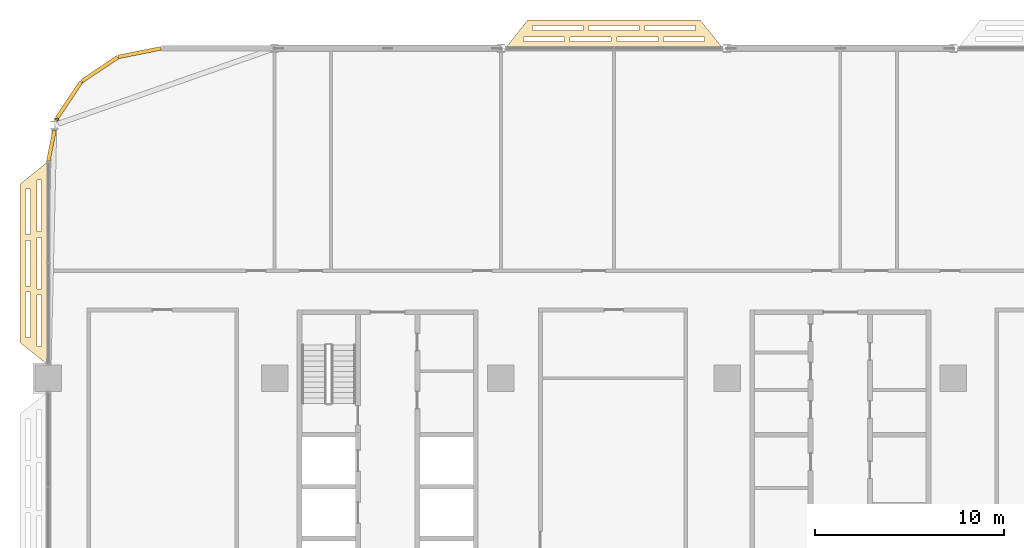
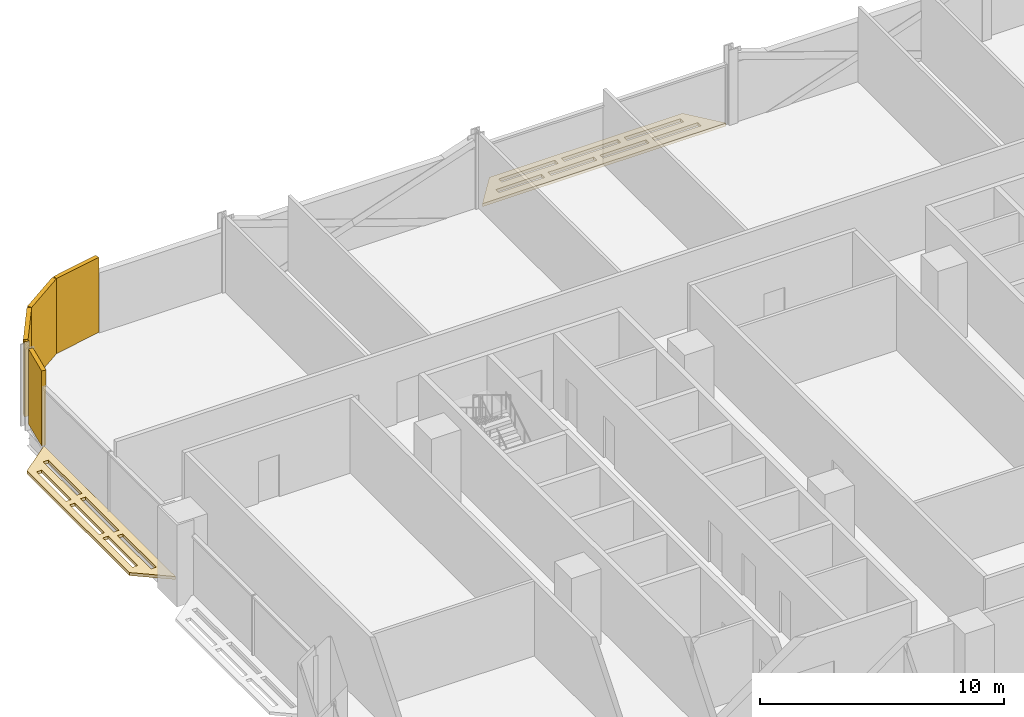
# One storey, part 27 of 29: 7 coverings.
"""IFC4 building model written with IfcOpenShell, lengths in metres."""

from ifc_helpers import new_model, si_unit, direction, frame, origin, origin_2d, place, context, subcontext, project, spatial, polyline, rectangle, outline, extrude, material, layer, layer_set, type_object, element, save


model = new_model("IFC4")

# Units and contexts
model_context = context("Model", 3, precision=1e-05, world=origin(), true_north=direction((0.0, 1.0)))
body_context = subcontext(model_context, "Body", "Model", "MODEL_VIEW")
ifc_project = project(units=[si_unit("LENGTHUNIT", "METRE"), si_unit("AREAUNIT", "SQUARE_METRE"), si_unit("VOLUMEUNIT", "CUBIC_METRE"), si_unit("PLANEANGLEUNIT", "RADIAN"), si_unit("MASSUNIT", "GRAM", prefix="KILO")], contexts=[model_context])

# Site, building, storey
site_placement = place(None, origin())
site = spatial("IfcSite", under=ifc_project, at=site_placement, CompositionType="ELEMENT")
building_placement = place(site_placement, origin())
building = spatial("IfcBuilding", under=site, at=building_placement, Name="Mahtab Terrace Research Tower", CompositionType="ELEMENT")
storey_placement = place(building_placement, frame((0.0, 0.0, 93.0)))
storey = spatial("IfcBuildingStorey", under=building, at=storey_placement, Name="L21", CompositionType="ELEMENT", Elevation=93.0)

# Coverings
ifc_material_1 = material(Name="Black aluminium cladding panel", Category="aluminium")
ifc_layer_1 = layer(ifc_material_1, 0.199951171875)
ifc_layer_set_1 = layer_set([ifc_layer_1], Name="Black metal corner cladding 200")
covering_type_1 = type_object("IfcCoveringType", Name="Black metal corner cladding 200", PredefinedType="CLADDING", material=ifc_layer_set_1)
for number, where, z_axis, x_axis, name in (
    (1, (-37.14794921875, 28.771484375, 0.0), (0.0, 0.0, 1.0), (-0.980760981187, -0.195212442692, 0.0), "Corner cladding L21 11"),
    (2, (-39.26953125, 27.89306640625, 0.0), (0.0, 0.0, 1.0), (-0.831655794326, -0.555291490808, 0.0), "Corner cladding L21 12"),
    (3, (-40.89306640625, 26.26953125, 0.0), (0.0, 0.0, 1.0), (-0.555291490808, -0.831655794326, 0.0), "Corner cladding L21 13"),
):
    element("IfcCovering", number, at=place(storey_placement, frame(where, z_axis=z_axis, x_axis=x_axis)), inside=storey, type_object=covering_type_1, Name=name, PredefinedType="CLADDING", context=body_context, shape_type="SweptSolid", body=[
        extrude(rectangle(XDim=2.30126953125, YDim=0.199951171875, at=origin_2d()), origin(), (0.0, 0.0, 1.0), 3.760009765625),
    ])
covering_1_placement = place(storey_placement, frame((-41.5556640625, 25.231689453125, 0.0), z_axis=(0.0, 0.0, 1.0), x_axis=(-0.195212442692, -0.980760981187, 0.0)))
element("IfcCovering", 4, at=covering_1_placement, inside=storey, type_object=covering_type_1, Name="Corner cladding L21 14", PredefinedType="CLADDING", context=body_context, shape_type="SweptSolid", body=[
    extrude(rectangle(XDim=0.11083984375, YDim=0.199951171875, at=origin_2d()), origin(), (0.0, 0.0, 1.0), 3.760009765625),
])
covering_2_placement = place(storey_placement, frame((-41.833740234375, 23.83544921875, 0.0), z_axis=(0.0, 0.0, 1.0), x_axis=(-0.195212442692, -0.980760981187, 0.0)))
element("IfcCovering", 5, at=covering_2_placement, inside=storey, type_object=covering_type_1, Name="Corner cladding L21 15", PredefinedType="CLADDING", context=body_context, shape_type="SweptSolid", body=[
    extrude(rectangle(XDim=1.6640625, YDim=0.199951171875, at=origin_2d()), origin(), (0.0, 0.0, 1.0), 3.760009765625),
])
ifc_material_2 = material(Name="Black anodised aluminium", Category="aluminium")
ifc_layer_2 = layer(ifc_material_2, 0.14990234375)
ifc_layer_set_2 = layer_set([ifc_layer_2], Name="Horizontal sunshade band")
covering_type_2 = type_object("IfcCoveringType", Name="Horizontal sunshade band", PredefinedType="CLADDING", material=ifc_layer_set_2)
covering_3_placement = place(storey_placement, frame((0.0, 0.0, -0.14990234375)))
element("IfcCovering", 6, at=covering_3_placement, inside=storey, type_object=covering_type_2, Name="Sunshade band L21 8", PredefinedType="CLADDING", context=body_context, shape_type="SweptSolid", body=[
    extrude(outline(polyline([(-6.22802734375, 29.0), (-17.77197265625, 29.0), (-16.572021484375, 30.5), (-7.427978515625, 30.5), (-6.22802734375, 29.0)]), holes=[polyline([(-7.2080078125, 29.35009765625), (-9.37890625, 29.35009765625), (-9.37890625, 29.60009765625), (-7.2080078125, 29.60009765625), (-7.2080078125, 29.35009765625)]), polyline([(-9.678955078125, 29.35009765625), (-11.85009765625, 29.35009765625), (-11.85009765625, 29.60009765625), (-9.678955078125, 29.60009765625), (-9.678955078125, 29.35009765625)]), polyline([(-12.14990234375, 29.35009765625), (-14.321044921875, 29.35009765625), (-14.321044921875, 29.60009765625), (-12.14990234375, 29.60009765625), (-12.14990234375, 29.35009765625)]), polyline([(-14.62109375, 29.35009765625), (-16.7919921875, 29.35009765625), (-16.7919921875, 29.60009765625), (-14.62109375, 29.60009765625), (-14.62109375, 29.35009765625)]), polyline([(-7.68798828125, 29.949951171875), (-10.363037109375, 29.949951171875), (-10.363037109375, 30.199951171875), (-7.68798828125, 30.199951171875), (-7.68798828125, 29.949951171875)]), polyline([(-10.6630859375, 29.949951171875), (-13.3369140625, 29.949951171875), (-13.3369140625, 30.199951171875), (-10.6630859375, 30.199951171875), (-10.6630859375, 29.949951171875)]), polyline([(-13.636962890625, 29.949951171875), (-16.31201171875, 29.949951171875), (-16.31201171875, 30.199951171875), (-13.636962890625, 30.199951171875), (-13.636962890625, 29.949951171875)])]), origin(), (0.0, 0.0, 1.0), 0.14990234375),
])
covering_4_placement = place(storey_placement, frame((0.0, 0.0, -0.14990234375)))
element("IfcCovering", 7, at=covering_4_placement, inside=storey, type_object=covering_type_2, Name="Sunshade band L21 16", PredefinedType="CLADDING", context=body_context, shape_type="SweptSolid", body=[
    extrude(outline(polyline([(-42.0, 23.0), (-42.0, 12.199951171875), (-43.5, 13.39990234375), (-43.5, 21.800048828125), (-42.0, 23.0)]), holes=[polyline([(-42.35009765625, 22.02001953125), (-42.35009765625, 19.27294921875), (-42.60009765625, 19.27294921875), (-42.60009765625, 22.02001953125), (-42.35009765625, 22.02001953125)]), polyline([(-42.35009765625, 18.972900390625), (-42.35009765625, 16.22705078125), (-42.60009765625, 16.22705078125), (-42.60009765625, 18.972900390625), (-42.35009765625, 18.972900390625)]), polyline([(-42.35009765625, 15.927001953125), (-42.35009765625, 13.179931640625), (-42.60009765625, 13.179931640625), (-42.60009765625, 15.927001953125), (-42.35009765625, 15.927001953125)]), polyline([(-42.949951171875, 21.5400390625), (-42.949951171875, 19.113037109375), (-43.199951171875, 19.113037109375), (-43.199951171875, 21.5400390625), (-42.949951171875, 21.5400390625)]), polyline([(-42.949951171875, 18.81298828125), (-42.949951171875, 16.386962890625), (-43.199951171875, 16.386962890625), (-43.199951171875, 18.81298828125), (-42.949951171875, 18.81298828125)]), polyline([(-42.949951171875, 16.0869140625), (-42.949951171875, 13.659912109375), (-43.199951171875, 13.659912109375), (-43.199951171875, 16.0869140625), (-42.949951171875, 16.0869140625)])]), origin(), (0.0, 0.0, 1.0), 0.14990234375),
])

save(model, "model.ifc")
